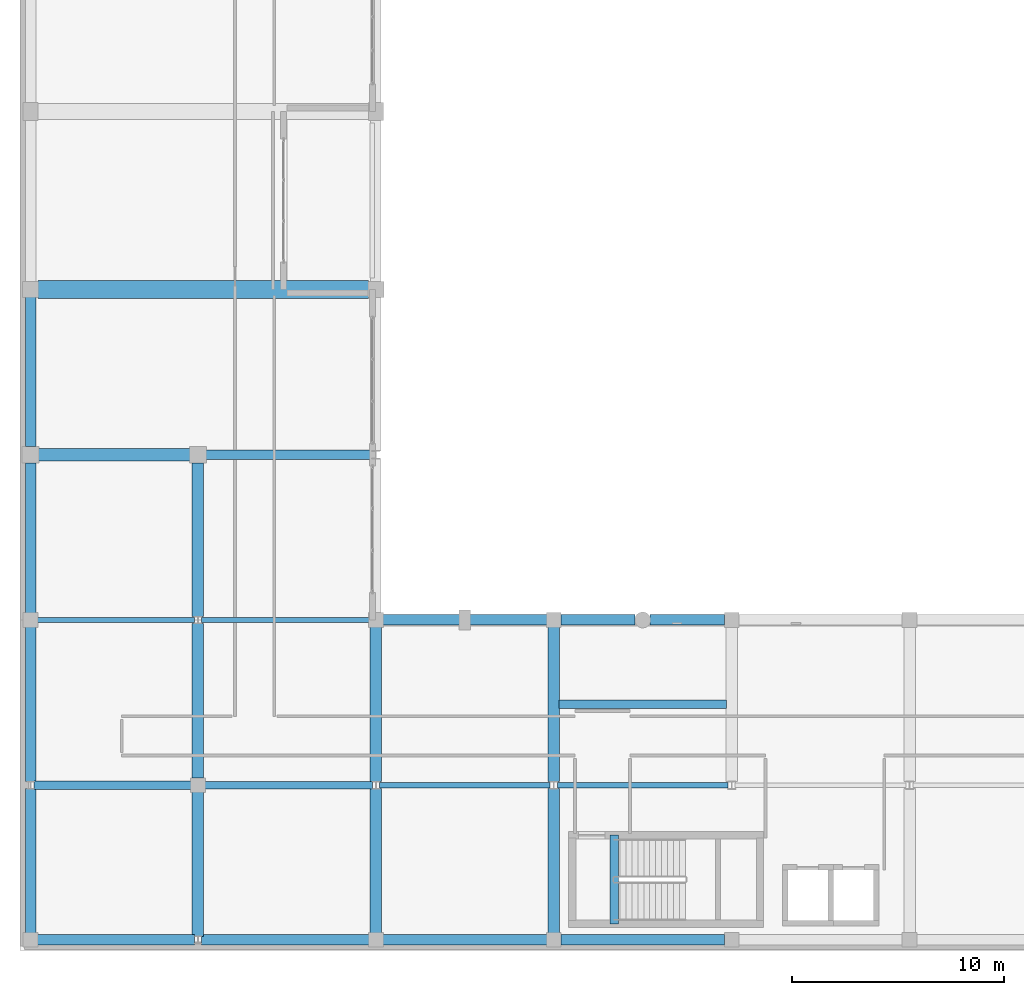
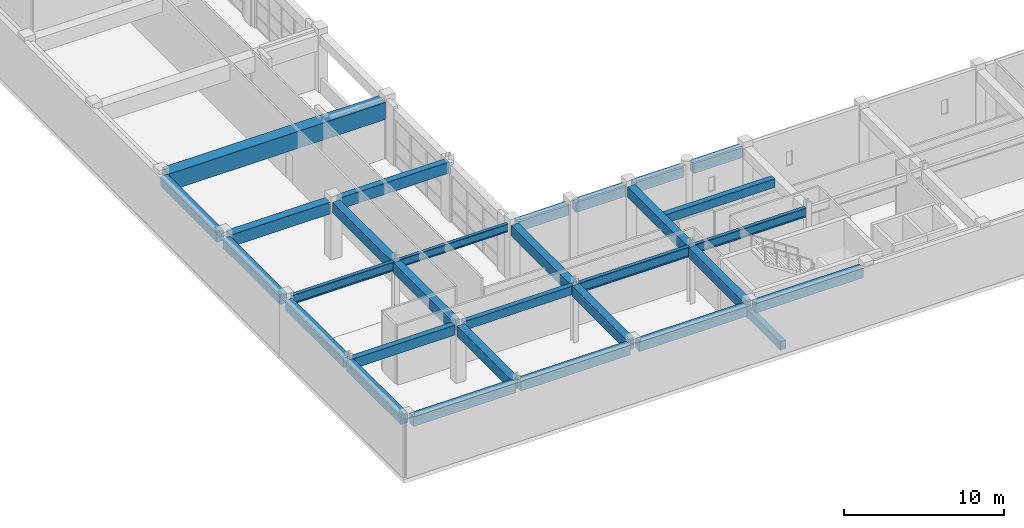
# One storey, part 15 of 123: 30 beams.
"""IFC4 building model written with IfcOpenShell, lengths in metres."""

from ifc_helpers import new_model, si_unit, direction, frame, origin, origin_2d, place, context, subcontext, project, spatial, rectangle, i_section, extrude, material, material_profile, profile_set, type_object, element, save


model = new_model("IFC4")

# Units and contexts
model_context = context("Model", 3, precision=1e-05, world=origin(), true_north=direction((0.0, 1.0)))
body_context = subcontext(model_context, "Body", "Model", "MODEL_VIEW")
ifc_project = project(units=[si_unit("LENGTHUNIT", "METRE"), si_unit("AREAUNIT", "SQUARE_METRE"), si_unit("VOLUMEUNIT", "CUBIC_METRE"), si_unit("PLANEANGLEUNIT", "RADIAN"), si_unit("MASSUNIT", "GRAM", prefix="KILO")], contexts=[model_context])

# Site, building, storey
site_placement = place(None, origin())
site = spatial("IfcSite", under=ifc_project, at=site_placement, CompositionType="ELEMENT")
building_placement = place(site_placement, origin())
building = spatial("IfcBuilding", under=site, at=building_placement, Name="Quendrovan Civic Courthouse", CompositionType="ELEMENT")
storey_placement = place(building_placement, frame((0.0, 0.0, 5.39990234375)))
storey = spatial("IfcBuildingStorey", under=building, at=storey_placement, Name="L02", CompositionType="ELEMENT", Elevation=5.39990234375)

# Beams
ifc_material_1 = material(Name="Post-tensioned concrete C50/60", Category="concrete")
ifc_material_profile_1 = material_profile(ifc_material_1, rectangle(XDim=0.85009765625, YDim=1.300048828125, at=origin_2d()), Name="PT-GRD-850x1300")
ifc_profile_set_1 = profile_set([ifc_material_profile_1], Name="Post-tensioned concrete C50/60")
beam_type_1 = type_object("IfcBeamType", Name="BM-PT1300", PredefinedType="BEAM", material=ifc_profile_set_1)
beam_1_placement = place(storey_placement, frame((0.85498046875, 31.199951171875, 3.710205078125), z_axis=(1.0, 0.0, 0.0), x_axis=(0.0, 1.0, 0.0)))
element("IfcBeam", 1, at=beam_1_placement, inside=storey, type_object=beam_type_1, Name="L02 Girder X0523", PredefinedType="BEAM", context=body_context, shape_type="SweptSolid", body=[
    extrude(rectangle(XDim=0.85009765625, YDim=1.300048828125, at=origin_2d()), origin(), (0.0, 0.0, 1.0), 15.590087890625),
])
ifc_material_2 = material(Name="Concrete C40/50", Category="concrete")
ifc_material_profile_2 = material_profile(ifc_material_2, rectangle(XDim=0.39990234375, YDim=0.64990234375, at=origin_2d()), Name="RC-BM-400x650")
ifc_profile_set_2 = profile_set([ifc_material_profile_2], Name="Concrete C40/50")
beam_type_2 = type_object("IfcBeamType", Name="BM-RC650", PredefinedType="JOIST", material=ifc_profile_set_2)
beam_2_placement = place(storey_placement, frame((25.455078125, 11.617919921875, 4.03515625), z_axis=(1.0, 0.0, 0.0), x_axis=(0.0, 1.0, 0.0)))
element("IfcBeam", 2, at=beam_2_placement, inside=storey, type_object=beam_type_2, Name="L02 Secondary Joist 0711", PredefinedType="JOIST", context=body_context, shape_type="SweptSolid", body=[
    extrude(rectangle(XDim=0.39990234375, YDim=0.64990234375, at=origin_2d()), origin(), (0.0, 0.0, 1.0), 7.889892578125),
])
beam_3_placement = place(storey_placement, frame((28.050048828125, 1.25, -0.324951171875), z_axis=(0.0, 1.0, 0.0), x_axis=(-1.0, 0.0, 0.0)))
element("IfcBeam", 3, at=beam_3_placement, inside=storey, type_object=beam_type_2, Name="L02 Stair ST5 Landing Trimmer Beam", PredefinedType="JOIST", context=body_context, shape_type="SweptSolid", body=[
    extrude(rectangle(XDim=0.39990234375, YDim=0.64990234375, at=origin_2d()), origin(), (0.0, 0.0, 1.0), 4.199951171875),
])
ifc_material_profile_3 = material_profile(ifc_material_2, rectangle(XDim=0.35009765625, YDim=0.64990234375, at=origin_2d()), Name="RC-BM-350x650")
ifc_profile_set_3 = profile_set([ifc_material_profile_3], Name="Concrete C40/50")
beam_type_3 = type_object("IfcBeamType", Name="BM-RC650B", PredefinedType="BEAM", material=ifc_profile_set_3)
beam_4_placement = place(storey_placement, frame((8.72998046875, 7.800048828125, 4.03515625), z_axis=(1.0, 0.0, 0.0), x_axis=(0.0, 1.0, 0.0)))
element("IfcBeam", 4, at=beam_4_placement, inside=storey, type_object=beam_type_3, Name="L02 Girder X0495", PredefinedType="BEAM", context=body_context, shape_type="SweptSolid", body=[
    extrude(rectangle(XDim=0.35009765625, YDim=0.64990234375, at=origin_2d()), origin(), (0.0, 0.0, 1.0), 7.903076171875),
])
ifc_material_profile_4 = material_profile(ifc_material_2, rectangle(XDim=0.5, YDim=0.75, at=origin_2d()), Name="RC-BM-500x750")
ifc_profile_set_4 = profile_set([ifc_material_profile_4], Name="Concrete C40/50")
beam_type_4 = type_object("IfcBeamType", Name="BM-RC750", PredefinedType="SPANDREL", material=ifc_profile_set_4)
beam_5_placement = place(storey_placement, frame((0.830078125, 0.5, 3.985107421875), z_axis=(1.0, 0.0, 0.0), x_axis=(0.0, 1.0, 0.0)))
element("IfcBeam", 5, at=beam_5_placement, inside=storey, type_object=beam_type_4, Name="L02 Girder X0481", PredefinedType="SPANDREL", context=body_context, shape_type="SweptSolid", body=[
    extrude(rectangle(XDim=0.5, YDim=0.75, at=origin_2d()), origin(), (0.0, 0.0, 1.0), 7.40283203125),
])
beam_6_placement = place(storey_placement, frame((8.56689453125, 0.5, 3.985107421875), z_axis=(1.0, 0.0, 0.0), x_axis=(0.0, 1.0, 0.0)))
element("IfcBeam", 6, at=beam_6_placement, inside=storey, type_object=beam_type_4, Name="L02 Girder X0482", PredefinedType="SPANDREL", context=body_context, shape_type="SweptSolid", body=[
    extrude(rectangle(XDim=0.5, YDim=0.75, at=origin_2d()), origin(), (0.0, 0.0, 1.0), 7.903076171875),
])
beam_7_placement = place(storey_placement, frame((17.1298828125, 0.5, 3.985107421875), z_axis=(1.0, 0.0, 0.0), x_axis=(0.0, 1.0, 0.0)))
element("IfcBeam", 7, at=beam_7_placement, inside=storey, type_object=beam_type_4, Name="L02 Girder X0483", PredefinedType="SPANDREL", context=body_context, shape_type="SweptSolid", body=[
    extrude(rectangle(XDim=0.5, YDim=0.75, at=origin_2d()), origin(), (0.0, 0.0, 1.0), 7.740234375),
])
beam_8_placement = place(storey_placement, frame((25.530029296875, 0.5, 3.985107421875), z_axis=(1.0, 0.0, 0.0), x_axis=(0.0, 1.0, 0.0)))
element("IfcBeam", 8, at=beam_8_placement, inside=storey, type_object=beam_type_4, Name="L02 Girder X0484", PredefinedType="SPANDREL", context=body_context, shape_type="SweptSolid", body=[
    extrude(rectangle(XDim=0.5, YDim=0.75, at=origin_2d()), origin(), (0.0, 0.0, 1.0), 7.739990234375),
])
for number, where, z_axis, x_axis, name in (
    (9, (17.1298828125, 15.60009765625, 3.985107421875), (1.0, 0.0, 0.0), (0.0, 1.0, 0.0), "L02 Girder X0509"),
    (10, (21.2548828125, 15.60009765625, 3.985107421875), (1.0, 0.0, 0.0), (0.0, 1.0, 0.0), "L02 Girder X0510"),
):
    element("IfcBeam", number, at=place(storey_placement, frame(where, z_axis=z_axis, x_axis=x_axis)), inside=storey, type_object=beam_type_4, Name=name, PredefinedType="SPANDREL", context=body_context, shape_type="SweptSolid", body=[
        extrude(rectangle(XDim=0.5, YDim=0.75, at=origin_2d()), origin(), (0.0, 0.0, 1.0), 3.615234375),
    ])
beam_9_placement = place(storey_placement, frame((25.530029296875, 15.60009765625, 3.985107421875), z_axis=(1.0, 0.0, 0.0), x_axis=(0.0, 1.0, 0.0)))
element("IfcBeam", 11, at=beam_9_placement, inside=storey, type_object=beam_type_4, Name="L02 Girder X0511", PredefinedType="SPANDREL", context=body_context, shape_type="SweptSolid", body=[
    extrude(rectangle(XDim=0.5, YDim=0.75, at=origin_2d()), origin(), (0.0, 0.0, 1.0), 3.514892578125),
])
beam_10_placement = place(storey_placement, frame((29.7548828125, 15.60009765625, 3.985107421875), z_axis=(1.0, 0.0, 0.0), x_axis=(0.0, 1.0, 0.0)))
element("IfcBeam", 12, at=beam_10_placement, inside=storey, type_object=beam_type_4, Name="L02 Girder X0512", PredefinedType="SPANDREL", context=body_context, shape_type="SweptSolid", body=[
    extrude(rectangle(XDim=0.5, YDim=0.75, at=origin_2d()), origin(), (0.0, 0.0, 1.0), 3.51513671875),
])
beam_11_placement = place(storey_placement, frame((0.5, 0.830078125, 3.985107421875), z_axis=(0.0, 1.0, 0.0), x_axis=(-1.0, 0.0, 0.0)))
element("IfcBeam", 13, at=beam_11_placement, inside=storey, type_object=beam_type_4, Name="L02 Girder Y0605", PredefinedType="SPANDREL", context=body_context, shape_type="SweptSolid", body=[
    extrude(rectangle(XDim=0.5, YDim=0.75, at=origin_2d()), origin(), (0.0, 0.0, 1.0), 6.803955078125),
])
beam_12_placement = place(storey_placement, frame((0.5, 7.966064453125, 3.985107421875), z_axis=(0.0, 1.0, 0.0), x_axis=(-1.0, 0.0, 0.0)))
element("IfcBeam", 14, at=beam_12_placement, inside=storey, type_object=beam_type_4, Name="L02 Girder Y0606", PredefinedType="SPANDREL", context=body_context, shape_type="SweptSolid", body=[
    extrude(rectangle(XDim=0.5, YDim=0.75, at=origin_2d()), origin(), (0.0, 0.0, 1.0), 7.303955078125),
])
beam_13_placement = place(storey_placement, frame((0.5, 15.929931640625, 3.985107421875), z_axis=(0.0, 1.0, 0.0), x_axis=(-1.0, 0.0, 0.0)))
element("IfcBeam", 15, at=beam_13_placement, inside=storey, type_object=beam_type_4, Name="L02 Girder Y0607", PredefinedType="SPANDREL", context=body_context, shape_type="SweptSolid", body=[
    extrude(rectangle(XDim=0.5, YDim=0.75, at=origin_2d()), origin(), (0.0, 0.0, 1.0), 7.090087890625),
])
beam_14_placement = place(storey_placement, frame((0.5, 23.780029296875, 3.985107421875), z_axis=(0.0, 1.0, 0.0), x_axis=(-1.0, 0.0, 0.0)))
element("IfcBeam", 16, at=beam_14_placement, inside=storey, type_object=beam_type_4, Name="L02 Girder Y0608", PredefinedType="SPANDREL", context=body_context, shape_type="SweptSolid", body=[
    extrude(rectangle(XDim=0.5, YDim=0.75, at=origin_2d()), origin(), (0.0, 0.0, 1.0), 7.06494140625),
])
ifc_material_profile_5 = material_profile(ifc_material_2, rectangle(XDim=0.39990234375, YDim=0.75, at=origin_2d()), Name="RC-BM-400x750")
ifc_profile_set_5 = profile_set([ifc_material_profile_5], Name="Concrete C40/50")
beam_type_5 = type_object("IfcBeamType", Name="BM-RC750B", PredefinedType="BEAM", material=ifc_profile_set_5)
beam_15_placement = place(storey_placement, frame((0.6669921875, 7.800048828125, 3.985107421875), z_axis=(1.0, 0.0, 0.0), x_axis=(0.0, 1.0, 0.0)))
element("IfcBeam", 17, at=beam_15_placement, inside=storey, type_object=beam_type_5, Name="L02 Girder X0494", PredefinedType="BEAM", context=body_context, shape_type="SweptSolid", body=[
    extrude(rectangle(XDim=0.39990234375, YDim=0.75, at=origin_2d()), origin(), (0.0, 0.0, 1.0), 7.403076171875),
])
ifc_material_profile_6 = material_profile(ifc_material_2, rectangle(XDim=0.550048828125, YDim=0.800048828125, at=origin_2d()), Name="RC-BM-550x800")
ifc_profile_set_6 = profile_set([ifc_material_profile_6], Name="Concrete C40/50")
beam_type_6 = type_object("IfcBeamType", Name="BM-RC800", PredefinedType="BEAM", material=ifc_profile_set_6)
beam_16_placement = place(storey_placement, frame((8.39990234375, 0.666015625, 3.960205078125), z_axis=(0.0, 1.0, 0.0), x_axis=(-1.0, 0.0, 0.0)))
element("IfcBeam", 18, at=beam_16_placement, inside=storey, type_object=beam_type_6, Name="L02 Girder Y0618", PredefinedType="BEAM", context=body_context, shape_type="SweptSolid", body=[
    extrude(rectangle(XDim=0.550048828125, YDim=0.800048828125, at=origin_2d()), origin(), (0.0, 0.0, 1.0), 6.803955078125),
])
beam_17_placement = place(storey_placement, frame((8.39990234375, 8.1298828125, 3.960205078125), z_axis=(0.0, 1.0, 0.0), x_axis=(-1.0, 0.0, 0.0)))
element("IfcBeam", 19, at=beam_17_placement, inside=storey, type_object=beam_type_6, Name="L02 Girder Y0619", PredefinedType="BEAM", context=body_context, shape_type="SweptSolid", body=[
    extrude(rectangle(XDim=0.550048828125, YDim=0.800048828125, at=origin_2d()), origin(), (0.0, 0.0, 1.0), 7.30419921875),
])
beam_18_placement = place(storey_placement, frame((8.39990234375, 15.76611328125, 3.960205078125), z_axis=(0.0, 1.0, 0.0), x_axis=(-1.0, 0.0, 0.0)))
element("IfcBeam", 20, at=beam_18_placement, inside=storey, type_object=beam_type_6, Name="L02 Girder Y0620", PredefinedType="BEAM", context=body_context, shape_type="SweptSolid", body=[
    extrude(rectangle(XDim=0.550048828125, YDim=0.800048828125, at=origin_2d()), origin(), (0.0, 0.0, 1.0), 7.25390625),
])
beam_19_placement = place(storey_placement, frame((16.800048828125, 0.830078125, 3.960205078125), z_axis=(0.0, 1.0, 0.0), x_axis=(-1.0, 0.0, 0.0)))
element("IfcBeam", 21, at=beam_19_placement, inside=storey, type_object=beam_type_6, Name="L02 Girder Y0622", PredefinedType="BEAM", context=body_context, shape_type="SweptSolid", body=[
    extrude(rectangle(XDim=0.550048828125, YDim=0.800048828125, at=origin_2d()), origin(), (0.0, 0.0, 1.0), 6.803955078125),
])
beam_20_placement = place(storey_placement, frame((16.800048828125, 7.966064453125, 3.960205078125), z_axis=(0.0, 1.0, 0.0), x_axis=(-1.0, 0.0, 0.0)))
element("IfcBeam", 22, at=beam_20_placement, inside=storey, type_object=beam_type_6, Name="L02 Girder Y0623", PredefinedType="BEAM", context=body_context, shape_type="SweptSolid", body=[
    extrude(rectangle(XDim=0.550048828125, YDim=0.800048828125, at=origin_2d()), origin(), (0.0, 0.0, 1.0), 7.303955078125),
])
beam_21_placement = place(storey_placement, frame((25.199951171875, 0.830078125, 3.960205078125), z_axis=(0.0, 1.0, 0.0), x_axis=(-1.0, 0.0, 0.0)))
element("IfcBeam", 23, at=beam_21_placement, inside=storey, type_object=beam_type_6, Name="L02 Girder Y0634", PredefinedType="BEAM", context=body_context, shape_type="SweptSolid", body=[
    extrude(rectangle(XDim=0.550048828125, YDim=0.800048828125, at=origin_2d()), origin(), (0.0, 0.0, 1.0), 6.803955078125),
])
beam_22_placement = place(storey_placement, frame((25.199951171875, 7.966064453125, 3.960205078125), z_axis=(0.0, 1.0, 0.0), x_axis=(-1.0, 0.0, 0.0)))
element("IfcBeam", 24, at=beam_22_placement, inside=storey, type_object=beam_type_6, Name="L02 Girder Y0635", PredefinedType="BEAM", context=body_context, shape_type="SweptSolid", body=[
    extrude(rectangle(XDim=0.550048828125, YDim=0.800048828125, at=origin_2d()), origin(), (0.0, 0.0, 1.0), 7.303955078125),
])
ifc_material_3 = material(Name="Concrete C45/55", Category="concrete")
ifc_material_profile_7 = material_profile(ifc_material_3, rectangle(XDim=0.449951171875, YDim=0.85009765625, at=origin_2d()), Name="RC-BM-450x850")
ifc_profile_set_7 = profile_set([ifc_material_profile_7], Name="Concrete C45/55")
beam_type_7 = type_object("IfcBeamType", Name="BM-RC850", PredefinedType="BEAM", material=ifc_profile_set_7)
beam_23_placement = place(storey_placement, frame((8.780029296875, 23.39990234375, 3.93505859375), z_axis=(1.0, 0.0, 0.0), x_axis=(0.0, 1.0, 0.0)))
element("IfcBeam", 25, at=beam_23_placement, inside=storey, type_object=beam_type_7, Name="L02 Girder X0522", PredefinedType="BEAM", context=body_context, shape_type="SweptSolid", body=[
    extrude(rectangle(XDim=0.449951171875, YDim=0.85009765625, at=origin_2d()), origin(), (0.0, 0.0, 1.0), 7.85302734375),
])
ifc_material_profile_8 = material_profile(ifc_material_2, rectangle(XDim=0.60009765625, YDim=0.89990234375, at=origin_2d()), Name="RC-BM-600x900")
ifc_profile_set_8 = profile_set([ifc_material_profile_8], Name="Concrete C40/50")
beam_type_8 = type_object("IfcBeamType", Name="BM-RC900", PredefinedType="BEAM", material=ifc_profile_set_8)
beam_24_placement = place(storey_placement, frame((0.8798828125, 23.39990234375, 3.91015625), z_axis=(1.0, 0.0, 0.0), x_axis=(0.0, 1.0, 0.0)))
element("IfcBeam", 26, at=beam_24_placement, inside=storey, type_object=beam_type_8, Name="L02 Girder X0521", PredefinedType="BEAM", context=body_context, shape_type="SweptSolid", body=[
    extrude(rectangle(XDim=0.60009765625, YDim=0.89990234375, at=origin_2d()), origin(), (0.0, 0.0, 1.0), 7.14013671875),
])
ifc_material_4 = material(Name="Steel ASTM A992 Grade 50", Category="steel")
ifc_material_profile_9 = material_profile(ifc_material_4, i_section(OverallWidth=0.22802734375, OverallDepth=0.60693359375, WebThickness=0.01123046875, FlangeThickness=0.017333984375, at=origin_2d()), Name="W24X76")
ifc_profile_set_9 = profile_set([ifc_material_profile_9], Name="Steel ASTM A992 Grade 50")
beam_type_9 = type_object("IfcBeamType", Name="BM-STL-W24", PredefinedType="BEAM", material=ifc_profile_set_9)
beam_25_placement = place(storey_placement, frame((8.56689453125, 15.60009765625, 4.056640625), z_axis=(1.0, 0.0, 0.0), x_axis=(0.0, 1.0, 0.0)))
element("IfcBeam", 27, at=beam_25_placement, inside=storey, type_object=beam_type_9, Name="L02 Girder X0508", PredefinedType="BEAM", context=body_context, shape_type="SweptSolid", body=[
    extrude(i_section(OverallWidth=0.22802734375, OverallDepth=0.60693359375, WebThickness=0.01123046875, FlangeThickness=0.017333984375, at=origin_2d()), origin(), (0.0, 0.0, 1.0), 7.903076171875),
])
ifc_material_profile_10 = material_profile(ifc_material_4, i_section(OverallWidth=0.25390625, OverallDepth=0.68408203125, WebThickness=0.012451171875, FlangeThickness=0.018798828125, at=origin_2d()), Name="W27X94")
ifc_profile_set_10 = profile_set([ifc_material_profile_10], Name="Steel ASTM A992 Grade 50")
beam_type_10 = type_object("IfcBeamType", Name="BM-STL-W27", PredefinedType="BEAM", material=ifc_profile_set_10)
beam_26_placement = place(storey_placement, frame((25.366943359375, 7.800048828125, 4.01806640625), z_axis=(1.0, 0.0, 0.0), x_axis=(0.0, 1.0, 0.0)))
element("IfcBeam", 28, at=beam_26_placement, inside=storey, type_object=beam_type_10, Name="L02 Girder X0497", PredefinedType="BEAM", context=body_context, shape_type="SweptSolid", body=[
    extrude(i_section(OverallWidth=0.25390625, OverallDepth=0.68408203125, WebThickness=0.012451171875, FlangeThickness=0.018798828125, at=origin_2d()), origin(), (0.0, 0.0, 1.0), 8.066162109375),
])
beam_27_placement = place(storey_placement, frame((0.830078125, 15.60009765625, 4.01806640625), z_axis=(1.0, 0.0, 0.0), x_axis=(0.0, 1.0, 0.0)))
element("IfcBeam", 29, at=beam_27_placement, inside=storey, type_object=beam_type_10, Name="L02 Girder X0507", PredefinedType="BEAM", context=body_context, shape_type="SweptSolid", body=[
    extrude(i_section(OverallWidth=0.25390625, OverallDepth=0.68408203125, WebThickness=0.012451171875, FlangeThickness=0.018798828125, at=origin_2d()), origin(), (0.0, 0.0, 1.0), 7.40283203125),
])
ifc_material_profile_11 = material_profile(ifc_material_4, i_section(OverallWidth=0.26611328125, OverallDepth=0.758056640625, WebThickness=0.013916015625, FlangeThickness=0.019287109375, at=origin_2d()), Name="W30X108")
ifc_profile_set_11 = profile_set([ifc_material_profile_11], Name="Steel ASTM A992 Grade 50")
beam_type_11 = type_object("IfcBeamType", Name="BM-STL-W30", PredefinedType="BEAM", material=ifc_profile_set_11)
beam_28_placement = place(storey_placement, frame((16.967041015625, 7.800048828125, 3.981201171875), z_axis=(1.0, 0.0, 0.0), x_axis=(0.0, 1.0, 0.0)))
element("IfcBeam", 30, at=beam_28_placement, inside=storey, type_object=beam_type_11, Name="L02 Girder X0496", PredefinedType="BEAM", context=body_context, shape_type="SweptSolid", body=[
    extrude(i_section(OverallWidth=0.26611328125, OverallDepth=0.758056640625, WebThickness=0.013916015625, FlangeThickness=0.019287109375, at=origin_2d()), origin(), (0.0, 0.0, 1.0), 8.06591796875),
])

save(model, "model.ifc")
